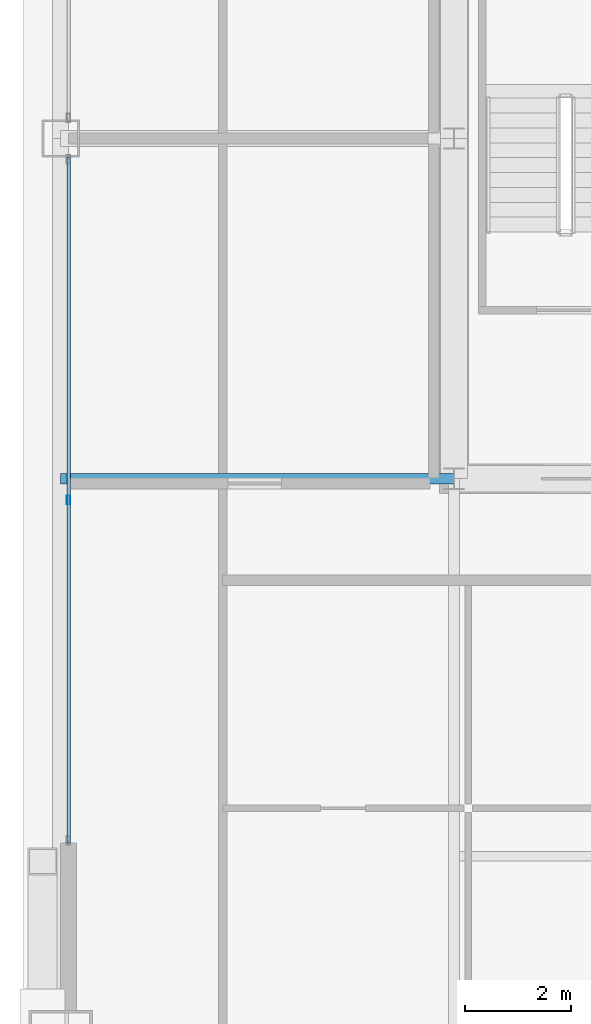
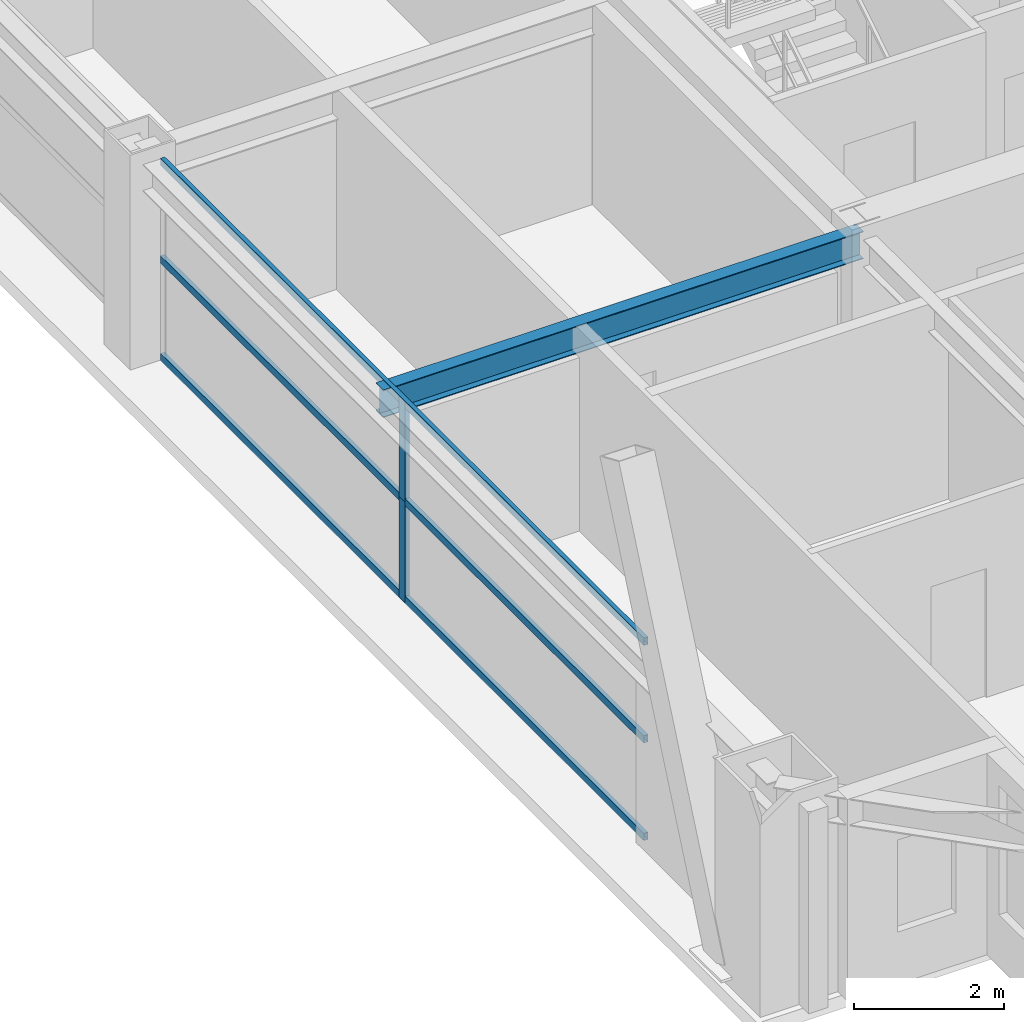
# One storey, part 8 of 35: 5 members, 1 beam, 1 element without a shape of its own.
"""IFC4 building model written with IfcOpenShell, lengths in metres."""

from ifc_helpers import new_model, si_unit, direction, frame, origin, origin_2d, place, context, subcontext, project, spatial, hollow_rectangle, i_section, extrude, source, transform, mapped, material, layer, layer_set, material_profile, profile_set, type_object, element, aggregate, save


model = new_model("IFC4")

# Units and contexts
model_context = context("Model", 3, precision=1e-05, world=origin(), true_north=direction((0.0, 1.0)))
body_context = subcontext(model_context, "Body", "Model", "MODEL_VIEW")
ifc_project = project(units=[si_unit("LENGTHUNIT", "METRE"), si_unit("AREAUNIT", "SQUARE_METRE"), si_unit("VOLUMEUNIT", "CUBIC_METRE"), si_unit("PLANEANGLEUNIT", "RADIAN"), si_unit("MASSUNIT", "GRAM", prefix="KILO"), si_unit("THERMODYNAMICTEMPERATUREUNIT", "KELVIN"), si_unit("POWERUNIT", "WATT")], contexts=[model_context])

# Site, building, storey
site_placement = place(None, origin())
site = spatial("IfcSite", under=ifc_project, at=site_placement, CompositionType="ELEMENT")
building_placement = place(site_placement, origin())
building = spatial("IfcBuilding", under=site, at=building_placement, Name="Yuzanri Waterfront Tower", CompositionType="ELEMENT")
storey_placement = place(building_placement, frame((0.0, 0.0, 227.60009765625)))
storey = spatial("IfcBuildingStorey", under=building, at=storey_placement, Name="L60", CompositionType="ELEMENT", Elevation=227.60009765625)

# Beam
ifc_material_1 = material(Name="Steel Q355B", Category="steel")
ifc_material_profile_1 = material_profile(ifc_material_1, i_section(OverallWidth=0.199951171875, OverallDepth=0.449951171875, WebThickness=0.009033203125, FlangeThickness=0.013916015625, at=origin_2d()), Name="HN 450x200x9x14")
ifc_profile_set_1 = profile_set([ifc_material_profile_1], Name="Steel Q355B")
beam_type = type_object("IfcBeamType", Name="Secondary Floor Beam Q355B HN 450x200", PredefinedType="BEAM", material=ifc_profile_set_1)
shared_shape_1 = source(origin(), body_context, "Body", "SweptSolid", [
    extrude(i_section(OverallWidth=0.199951171875, OverallDepth=0.449951171875, WebThickness=0.009033203125, FlangeThickness=0.013916015625, at=origin_2d()), origin(), (0.0, 0.0, 1.0), 7.400146484375),
])
beam_placement = place(storey_placement, frame((23.800048828125, 19.39990234375, 3.054931640625), z_axis=(-1.0, 0.0, 0.0), x_axis=(0.0, -1.0, 0.0)))
element("IfcBeam", 1, at=beam_placement, inside=storey, type_object=beam_type, Name="L60 West-South Core Line Beam", PredefinedType="BEAM", context=body_context, shape_type="MappedRepresentation", body=[
    mapped(shared_shape_1, transform((0.0, 0.0, 0.0), scale=1.0)),
])

# Curtain wall, members
ifc_material_2 = material(Name="Anodized Architectural Bronze", Category="metal")
ifc_layer = layer(ifc_material_2, 0.159912109375)
ifc_layer_set = layer_set([ifc_layer], Name="Anodized Architectural Bronze")
curtain_wall_type = type_object("IfcCurtainWallType", Name="Anodized Bronze Mid-Rise Residential Acoustic Unitized Curtain Wall 7200", PredefinedType="NOTDEFINED", material=ifc_layer_set)
curtain_wall_placement = place(storey_placement, origin())
curtain_wall = element("IfcCurtainWall", 2, at=curtain_wall_placement, inside=storey, type_object=curtain_wall_type, Name="L60 Curtain Wall CW-L60-WL", PredefinedType="NOTDEFINED")
ifc_material_3 = material(Name="Anodized Architectural Bronze", Category="metal")
ifc_material_profile_2 = material_profile(ifc_material_3, hollow_rectangle(XDim=0.06494140625, YDim=0.159912109375, WallThickness=0.00341796875, at=origin_2d()), Name="CWM 65x160")
ifc_profile_set_2 = profile_set([ifc_material_profile_2], Name="Anodized Architectural Bronze")
member_type_1 = type_object("IfcMemberType", Name="Anodized Bronze Upper-Zone Curtain-Wall Mullion 65x160", PredefinedType="MULLION", material=ifc_profile_set_2)
shared_shape_2 = source(origin(), body_context, "Body", "SweptSolid", [
    extrude(hollow_rectangle(XDim=0.06494140625, YDim=0.159912109375, WallThickness=0.00341796875, at=origin_2d()), origin(), (0.0, 0.0, 1.0), 1.637939453125),
])
member_1_placement = place(storey_placement, frame((16.550048828125, 19.0, 0.0), z_axis=(0.0, 0.0, 1.0), x_axis=(1.0, 0.0, 0.0)))
member_1 = element("IfcMember", 3, at=member_1_placement, type_object=member_type_1, Name="CW-L60-WL Lower Mullion 01", PredefinedType="MULLION", context=body_context, shape_type="MappedRepresentation", body=[
    mapped(shared_shape_2, transform((0.0, 0.0, 0.0), scale=1.0)),
])
member_2_placement = place(storey_placement, frame((16.550048828125, 19.0, 1.641845703125), z_axis=(0.0, 0.0, 1.0), x_axis=(1.0, 0.0, 0.0)))
member_2 = element("IfcMember", 4, at=member_2_placement, type_object=member_type_1, Name="CW-L60-WL Upper Mullion 01", PredefinedType="MULLION", context=body_context, shape_type="MappedRepresentation", body=[
    mapped(shared_shape_2, transform((0.0, 0.0, 0.0), scale=1.0)),
])
ifc_material_4 = material(Name="Anodized Architectural Bronze", Category="metal")
ifc_material_profile_3 = material_profile(ifc_material_4, hollow_rectangle(XDim=0.06494140625, YDim=0.1201171875, WallThickness=0.00341796875, at=origin_2d()), Name="CWT 65x120")
ifc_profile_set_3 = profile_set([ifc_material_profile_3], Name="Anodized Architectural Bronze")
member_type_2 = type_object("IfcMemberType", Name="Anodized Bronze Secondary Curtain-Wall Transom 65x120", PredefinedType="USERDEFINED", material=ifc_profile_set_3)
shared_shape_3 = source(origin(), body_context, "Body", "SweptSolid", [
    extrude(hollow_rectangle(XDim=0.06494140625, YDim=0.1201171875, WallThickness=0.00341796875, at=origin_2d()), origin(), (0.0, 0.0, 1.0), 12.89990234375),
])
member_3_placement = place(storey_placement, frame((16.550048828125, 12.550048828125, 0.0498046875), z_axis=(0.0, 1.0, 0.0), x_axis=(-1.0, 0.0, 0.0)))
member_3 = element("IfcMember", 5, at=member_3_placement, type_object=member_type_2, Name="CW-L60-WL Transom 1", ObjectType="TRANSOM", PredefinedType="USERDEFINED", context=body_context, shape_type="MappedRepresentation", body=[
    mapped(shared_shape_3, transform((0.0, 0.0, 0.0), scale=1.0)),
])
member_4_placement = place(storey_placement, frame((16.550048828125, 12.550048828125, 1.639892578125), z_axis=(0.0, 1.0, 0.0), x_axis=(-1.0, 0.0, 0.0)))
member_4 = element("IfcMember", 6, at=member_4_placement, type_object=member_type_2, Name="CW-L60-WL Transom 2", ObjectType="TRANSOM", PredefinedType="USERDEFINED", context=body_context, shape_type="MappedRepresentation", body=[
    mapped(shared_shape_3, transform((0.0, 0.0, 0.0), scale=1.0)),
])
member_5_placement = place(storey_placement, frame((16.550048828125, 12.550048828125, 3.22998046875), z_axis=(0.0, 1.0, 0.0), x_axis=(-1.0, 0.0, 0.0)))
member_5 = element("IfcMember", 7, at=member_5_placement, type_object=member_type_2, Name="CW-L60-WL Transom 3", ObjectType="TRANSOM", PredefinedType="USERDEFINED", context=body_context, shape_type="MappedRepresentation", body=[
    mapped(shared_shape_3, transform((0.0, 0.0, 0.0), scale=1.0)),
])
aggregate(curtain_wall, [member_1, member_2, member_3, member_4, member_5])

save(model, "model.ifc")
